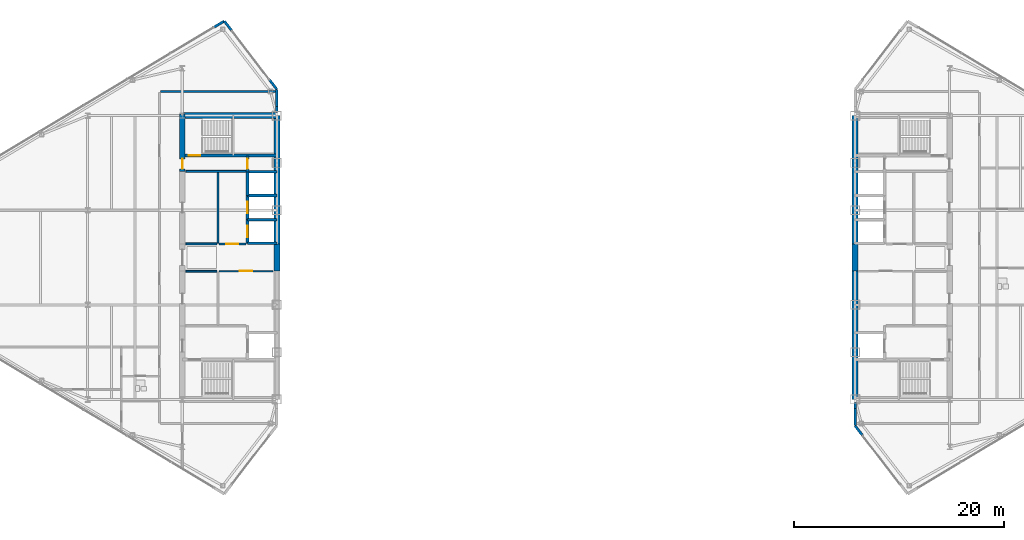
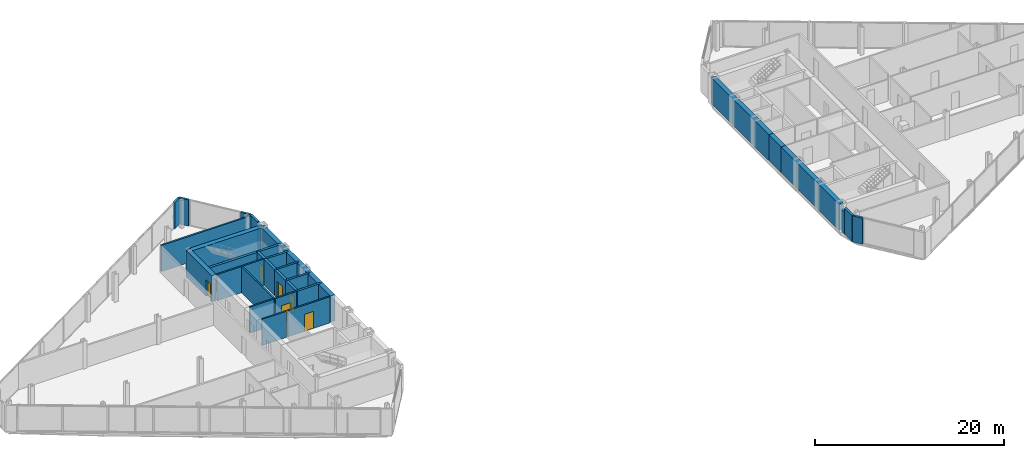
# One storey, part 20 of 25: 31 walls, 7 doors, 7 openings.
"""IFC4 building model written with IfcOpenShell, lengths in metres."""

from ifc_helpers import new_model, si_unit, direction, frame, frame_2d, origin, place, context, subcontext, project, spatial, rectangle, extrude, source, transform, mapped, material, layer, layer_set, type_object, type_shapes, element, fill, save


model = new_model("IFC4")

# Units and contexts
model_context = context("Model", 3, precision=1e-05, world=origin(), true_north=direction((0.0, 1.0)))
body_context = subcontext(model_context, "Body", "Model", "MODEL_VIEW")
ifc_project = project(units=[si_unit("LENGTHUNIT", "METRE"), si_unit("AREAUNIT", "SQUARE_METRE"), si_unit("VOLUMEUNIT", "CUBIC_METRE"), si_unit("PLANEANGLEUNIT", "RADIAN"), si_unit("MASSUNIT", "GRAM", prefix="KILO")], contexts=[model_context])

# Site, building, storey
site_placement = place(None, origin())
site = spatial("IfcSite", under=ifc_project, at=site_placement, CompositionType="ELEMENT")
building_placement = place(site_placement, origin())
building = spatial("IfcBuilding", under=site, at=building_placement, Name="Seokmaru Belvedere", CompositionType="ELEMENT")
storey_placement = place(building_placement, frame((0.0, 0.0, 203.10009765625)))
storey = spatial("IfcBuildingStorey", under=building, at=storey_placement, Name="L54", CompositionType="ELEMENT", Elevation=203.10009765625)

# Walls
ifc_material_1 = material(Name="Fire-Rated Gypsum Shaftwall")
ifc_layer_1 = layer(ifc_material_1, 0.179931640625)
ifc_layer_set_1 = layer_set([ifc_layer_1], Name="Fire-Rated Gypsum Shaftwall")
wall_type_1 = type_object("IfcWallType", Name="Core Service Fire Partition 180", PredefinedType="PARTITIONING", material=ifc_layer_set_1)
wall_1_placement = place(storey_placement, frame((-36.14990234375, 8.199951171875, 0.0), z_axis=(0.0, 0.0, 1.0), x_axis=(1.0, 0.0, 0.0)))
element("IfcWall", 1, at=wall_1_placement, inside=storey, type_object=wall_type_1, Name="L54 West Smokeproof Vestibule Partition", PredefinedType="PARTITIONING", context=body_context, shape_type="SweptSolid", body=[
    extrude(rectangle(XDim=5.699951171875, YDim=0.179931640625, at=frame_2d((2.85009765625, 0.0))), origin(), (0.0, 0.0, 1.0), 3.3798828125),
])
wall_2_placement = place(storey_placement, frame((-33.10009765625, 1.3798828125, 0.0), z_axis=(0.0, 0.0, 1.0), x_axis=(0.0, 1.0, 0.0)))
element("IfcWall", 2, at=wall_2_placement, inside=storey, type_object=wall_type_1, Name="L54 West North Core Service Back Wall", PredefinedType="PARTITIONING", context=body_context, shape_type="SweptSolid", body=[
    extrude(rectangle(XDim=6.740234375, YDim=0.179931640625, at=frame_2d((3.3701171875, 0.0))), origin(), (0.0, 0.0, 1.0), 3.3798828125),
])

# Wall, opening, door
wall_3_placement = place(storey_placement, frame((-33.02001953125, -1.300048828125, 0.0), z_axis=(0.0, 0.0, 1.0), x_axis=(1.0, 0.0, 0.0)))
wall_3 = element("IfcWall", 3, at=wall_3_placement, inside=storey, type_object=wall_type_1, Name="L54 West South Lift Lobby Foyer Wall", PredefinedType="PARTITIONING", context=body_context, shape_type="SweptSolid", body=[
    extrude(rectangle(XDim=5.169921875, YDim=0.179931640625, at=frame_2d((2.5849609375, 0.0))), origin(), (0.0, 0.0, 1.0), 3.3798828125),
])
opening_1_placement = place(wall_3_placement, frame((2.010009765625, 0.0, 0.0)))
opening_1 = element("IfcOpeningElement", 4, at=opening_1_placement, cuts=wall_3, Name="Opening D02", PredefinedType="OPENING", context=body_context, shape_type="SweptSolid", body=[
    extrude(rectangle(XDim=1.14990234375, YDim=2.199951171875, at=frame_2d((0.574951171875, 1.10009765625))), frame((0.0, 0.10009765625, 0.0), z_axis=(0.0, -1.0, 0.0), x_axis=(1.0, 0.0, 0.0)), (0.0, 0.0, 1.0), 0.199951171875),
])
ifc_material_2 = material(Name="Fire-Rated Steel Leaf", Category="steel")
door_type_1 = type_object("IfcDoorType", Name="Lobby and Vestibule Fire Door 1150x2200", OperationType="NOTDEFINED", PredefinedType="DOOR", material=ifc_material_2)
shared_shape_1 = source(origin(), body_context, "Body", "SweptSolid", [
    extrude(rectangle(XDim=1.14990234375, YDim=2.199951171875, at=frame_2d((0.574951171875, 1.10009765625))), frame((0.0, 0.02490234375, 0.0), z_axis=(0.0, -1.0, 0.0), x_axis=(1.0, 0.0, 0.0)), (0.0, 0.0, 1.0), 0.050048828125),
])
type_shapes(door_type_1, [shared_shape_1])
door_1_placement = place(opening_1_placement, origin())
door_1 = element("IfcDoor", 5, at=door_1_placement, inside=storey, type_object=door_type_1, Name="L54 West South Core Foyer Door", OperationType="SINGLE_SWING_LEFT", OverallHeight=2.199951171875, OverallWidth=1.14990234375, PredefinedType="DOOR", context=body_context, shape_type="MappedRepresentation", body=[
    mapped(shared_shape_1, transform((0.0, 0.0, 0.0), scale=1.0)),
])
fill(opening_1, door_1)

wall_4_placement = place(storey_placement, frame((-33.02001953125, 1.300048828125, 0.0), z_axis=(0.0, 0.0, 1.0), x_axis=(1.0, 0.0, 0.0)))
wall_4 = element("IfcWall", 6, at=wall_4_placement, inside=storey, type_object=wall_type_1, Name="L54 West North Lift Lobby Foyer Wall", PredefinedType="PARTITIONING", context=body_context, shape_type="SweptSolid", body=[
    extrude(rectangle(XDim=2.570068359375, YDim=0.179931640625, at=frame_2d((1.28515625, 0.0))), origin(), (0.0, 0.0, 1.0), 3.3798828125),
])
opening_2_placement = place(wall_4_placement, frame((0.7099609375, 0.0, 0.0)))
opening_2 = element("IfcOpeningElement", 7, at=opening_2_placement, cuts=wall_4, Name="Opening D02", PredefinedType="OPENING", context=body_context, shape_type="SweptSolid", body=[
    extrude(rectangle(XDim=1.14990234375, YDim=2.199951171875, at=frame_2d((0.574951171875, 1.10009765625))), frame((0.0, 0.10009765625, 0.0), z_axis=(0.0, -1.0, 0.0), x_axis=(1.0, 0.0, 0.0)), (0.0, 0.0, 1.0), 0.199951171875),
])
door_2_placement = place(opening_2_placement, origin())
door_2 = element("IfcDoor", 8, at=door_2_placement, inside=storey, type_object=door_type_1, Name="L54 West North Lift Lobby Door", OperationType="SINGLE_SWING_RIGHT", OverallHeight=2.199951171875, OverallWidth=1.14990234375, PredefinedType="DOOR", context=body_context, shape_type="MappedRepresentation", body=[
    mapped(shared_shape_1, transform((0.0, 0.0, 0.0), scale=1.0)),
])
fill(opening_2, door_2)

# Walls
for number, where, z_axis, x_axis, name in (
    (9, (-36.14990234375, -1.300048828125, 0.0), (0.0, 0.0, 1.0), (1.0, 0.0, 0.0), "L54 West Foyer Side Wall S"),
    (10, (-36.14990234375, 1.300048828125, 0.0), (0.0, 0.0, 1.0), (1.0, 0.0, 0.0), "L54 West Foyer Side Wall N"),
):
    element("IfcWall", number, at=place(storey_placement, frame(where, z_axis=z_axis, x_axis=x_axis)), inside=storey, type_object=wall_type_1, Name=name, PredefinedType="PARTITIONING", context=body_context, shape_type="SweptSolid", body=[
        extrude(rectangle(XDim=2.949951171875, YDim=0.179931640625, at=frame_2d((1.47509765625, 0.0))), origin(), (0.0, 0.0, 1.0), 3.3798828125),
    ])
ifc_material_3 = material(Name="Concrete C50 (50 MPa)", Category="concrete")
ifc_layer_2 = layer(ifc_material_3, 0.25)
ifc_layer_set_2 = layer_set([ifc_layer_2], Name="Concrete C50 (50 MPa)")
wall_type_2 = type_object("IfcWallType", Name="Hoistway Transverse Concrete Divider Wall 250", PredefinedType="SHEAR", material=ifc_layer_set_2)
for number, where, z_axis, x_axis, name in (
    (11, (-30.300048828125, 1.35009765625, 0.0), (0.0, 0.0, 1.0), (1.0, 0.0, 0.0), "L54 West Hoistway Divider Core Wall 2"),
    (12, (-30.300048828125, 3.60009765625, 0.0), (0.0, 0.0, 1.0), (1.0, 0.0, 0.0), "L54 West Hoistway Divider Core Wall 3"),
    (13, (-30.300048828125, 5.89990234375, 0.0), (0.0, 0.0, 1.0), (1.0, 0.0, 0.0), "L54 West Hoistway Divider Core Wall 4"),
    (14, (-30.300048828125, 8.14990234375, 0.0), (0.0, 0.0, 1.0), (1.0, 0.0, 0.0), "L54 West Hoistway Divider Core Wall 5"),
):
    element("IfcWall", number, at=place(storey_placement, frame(where, z_axis=z_axis, x_axis=x_axis)), inside=storey, type_object=wall_type_2, Name=name, PredefinedType="SHEAR", context=body_context, shape_type="SweptSolid", body=[
        extrude(rectangle(XDim=2.800048828125, YDim=0.25, at=frame_2d((1.39990234375, 0.0))), origin(), (0.0, 0.0, 1.0), 3.3798828125),
    ])
ifc_layer_3 = layer(ifc_material_1, 0.199951171875)
ifc_layer_set_3 = layer_set([ifc_layer_3], Name="Fire-Rated Gypsum Shaftwall")
wall_type_3 = type_object("IfcWallType", Name="Inter-Tenancy Fire Compartment Partition 200", PredefinedType="PARTITIONING", material=ifc_layer_set_3)
wall_5_placement = place(storey_placement, frame((-38.56494140625, 15.800048828125, 0.0), z_axis=(0.0, 0.0, 1.0), x_axis=(1.0, 0.0, 0.0)))
element("IfcWall", 15, at=wall_5_placement, inside=storey, type_object=wall_type_3, Name="L54 Interior Partition 014", PredefinedType="PARTITIONING", context=body_context, shape_type="SweptSolid", body=[
    extrude(rectangle(XDim=10.93994140625, YDim=0.199951171875, at=frame_2d((5.469970703125, 0.0))), origin(), (0.0, 0.0, 1.0), 3.3798828125),
])

# Wall, opening, door
ifc_layer_4 = layer(ifc_material_3, 0.300048828125)
ifc_layer_set_4 = layer_set([ifc_layer_4], Name="Concrete C50 (50 MPa)")
wall_type_4 = type_object("IfcWallType", Name="Internal Core Stair and Hoistway Wall 300", PredefinedType="SHEAR", material=ifc_layer_set_4)
wall_6_placement = place(storey_placement, frame((-36.5, 9.699951171875, 0.0), z_axis=(0.0, 0.0, 1.0), x_axis=(1.0, 0.0, 0.0)))
wall_6 = element("IfcWall", 16, at=wall_6_placement, inside=storey, type_object=wall_type_4, Name="L54 West Stair ST-2 Enclosure Wall", PredefinedType="SHEAR", context=body_context, shape_type="SweptSolid", body=[
    extrude(rectangle(XDim=9.0, YDim=0.300048828125, at=frame_2d((4.5, 0.0))), origin(), (0.0, 0.0, 1.0), 3.3798828125),
])
opening_3_placement = place(wall_6_placement, frame((0.60009765625, 0.0, 0.0)))
opening_3 = element("IfcOpeningElement", 17, at=opening_3_placement, cuts=wall_6, Name="Opening D01", PredefinedType="OPENING", context=body_context, shape_type="SweptSolid", body=[
    extrude(rectangle(XDim=1.10009765625, YDim=2.199951171875, at=frame_2d((0.550048828125, 1.10009765625))), frame((0.0, 0.16015625, 0.0), z_axis=(0.0, -1.0, 0.0), x_axis=(1.0, 0.0, 0.0)), (0.0, 0.0, 1.0), 0.320068359375),
])
door_type_2 = type_object("IfcDoorType", Name="Special Escape Stair Smokeproof Fire Door 1100x2200", OperationType="NOTDEFINED", PredefinedType="DOOR", material=ifc_material_2)
shared_shape_2 = source(origin(), body_context, "Body", "SweptSolid", [
    extrude(rectangle(XDim=1.10009765625, YDim=2.199951171875, at=frame_2d((0.550048828125, 1.10009765625))), frame((0.0, 0.02490234375, 0.0), z_axis=(0.0, -1.0, 0.0), x_axis=(1.0, 0.0, 0.0)), (0.0, 0.0, 1.0), 0.050048828125),
])
type_shapes(door_type_2, [shared_shape_2])
door_3_placement = place(opening_3_placement, origin())
door_3 = element("IfcDoor", 18, at=door_3_placement, inside=storey, type_object=door_type_2, Name="L54 West Special Escape Stair ST-2 Door", OperationType="SINGLE_SWING_RIGHT", OverallHeight=2.199951171875, OverallWidth=1.10009765625, PredefinedType="DOOR", context=body_context, shape_type="MappedRepresentation", body=[
    mapped(shared_shape_2, transform((0.0, 0.0, 0.0), scale=1.0)),
])
fill(opening_3, door_3)

wall_7_placement = place(storey_placement, frame((-30.300048828125, 1.320068359375, 0.0), z_axis=(0.0, 0.0, 1.0), x_axis=(0.0, 1.0, 0.0)))
wall_7 = element("IfcWall", 19, at=wall_7_placement, inside=storey, type_object=wall_type_4, Name="L54 West North Hoistway Wall PH1", PredefinedType="SHEAR", context=body_context, shape_type="SweptSolid", body=[
    extrude(rectangle(XDim=2.280029296875, YDim=0.300048828125, at=frame_2d((1.14013671875, 0.0))), origin(), (0.0, 0.0, 1.0), 3.3798828125),
])
opening_4_placement = place(wall_7_placement, frame((0.590087890625, 0.0, 0.0)))
opening_4 = element("IfcOpeningElement", 20, at=opening_4_placement, cuts=wall_7, Name="Opening LD1", PredefinedType="OPENING", context=body_context, shape_type="SweptSolid", body=[
    extrude(rectangle(XDim=1.10009765625, YDim=2.199951171875, at=frame_2d((0.550048828125, 1.10009765625))), frame((0.0, 0.16015625, 0.0), z_axis=(0.0, -1.0, 0.0), x_axis=(1.0, 0.0, 0.0)), (0.0, 0.0, 1.0), 0.320068359375),
])
ifc_material_4 = material(Name="Stainless Steel 316", Category="steel")
door_type_3 = type_object("IfcDoorType", Name="Passenger Lift Sliding Landing Door 1100x2200", OperationType="DOUBLE_DOOR_SLIDING", PredefinedType="DOOR", material=ifc_material_4)
shared_shape_3 = source(origin(), body_context, "Body", "SweptSolid", [
    extrude(rectangle(XDim=1.10009765625, YDim=2.199951171875, at=frame_2d((0.550048828125, 1.10009765625))), frame((0.0, 0.02490234375, 0.0), z_axis=(0.0, -1.0, 0.0), x_axis=(1.0, 0.0, 0.0)), (0.0, 0.0, 1.0), 0.050048828125),
])
type_shapes(door_type_3, [shared_shape_3])
door_4_placement = place(opening_4_placement, origin())
door_4 = element("IfcDoor", 21, at=door_4_placement, inside=storey, type_object=door_type_3, Name="L54 West High-Rise Lift PH-1 Landing Door", OperationType="DOUBLE_DOOR_SLIDING", OverallHeight=2.199951171875, OverallWidth=1.10009765625, PredefinedType="DOOR", context=body_context, shape_type="MappedRepresentation", body=[
    mapped(shared_shape_3, transform((0.0, 0.0, 0.0), scale=1.0)),
])
fill(opening_4, door_4)

wall_8_placement = place(storey_placement, frame((-30.300048828125, 3.60009765625, 0.0), z_axis=(0.0, 0.0, 1.0), x_axis=(0.0, 1.0, 0.0)))
wall_8 = element("IfcWall", 22, at=wall_8_placement, inside=storey, type_object=wall_type_4, Name="L54 West North Hoistway Wall PH2", PredefinedType="SHEAR", context=body_context, shape_type="SweptSolid", body=[
    extrude(rectangle(XDim=2.2998046875, YDim=0.300048828125, at=frame_2d((1.14990234375, 0.0))), origin(), (0.0, 0.0, 1.0), 3.3798828125),
])
opening_5_placement = place(wall_8_placement, frame((0.60009765625, 0.0, 0.0)))
opening_5 = element("IfcOpeningElement", 23, at=opening_5_placement, cuts=wall_8, Name="Opening LD1", PredefinedType="OPENING", context=body_context, shape_type="SweptSolid", body=[
    extrude(rectangle(XDim=1.10009765625, YDim=2.199951171875, at=frame_2d((0.550048828125, 1.10009765625))), frame((0.0, 0.16015625, 0.0), z_axis=(0.0, -1.0, 0.0), x_axis=(1.0, 0.0, 0.0)), (0.0, 0.0, 1.0), 0.320068359375),
])
door_5_placement = place(opening_5_placement, origin())
door_5 = element("IfcDoor", 24, at=door_5_placement, inside=storey, type_object=door_type_3, Name="L54 West High-Rise Lift PH-2 Landing Door", OperationType="DOUBLE_DOOR_SLIDING", OverallHeight=2.199951171875, OverallWidth=1.10009765625, PredefinedType="DOOR", context=body_context, shape_type="MappedRepresentation", body=[
    mapped(shared_shape_3, transform((0.0, 0.0, 0.0), scale=1.0)),
])
fill(opening_5, door_5)

# Wall
wall_9_placement = place(storey_placement, frame((-30.300048828125, 5.89990234375, 0.0), z_axis=(0.0, 0.0, 1.0), x_axis=(0.0, 1.0, 0.0)))
element("IfcWall", 25, at=wall_9_placement, inside=storey, type_object=wall_type_4, Name="L54 West North Hoistway Wall OBS", PredefinedType="SHEAR", context=body_context, shape_type="SweptSolid", body=[
    extrude(rectangle(XDim=2.25, YDim=0.300048828125, at=frame_2d((1.125, 0.0))), origin(), (0.0, 0.0, 1.0), 3.3798828125),
])

# Wall, opening, door
wall_10_placement = place(storey_placement, frame((-30.300048828125, 8.14990234375, 0.0), z_axis=(0.0, 0.0, 1.0), x_axis=(0.0, 1.0, 0.0)))
wall_10 = element("IfcWall", 26, at=wall_10_placement, inside=storey, type_object=wall_type_4, Name="L54 West Electrical Riser Front Wall", PredefinedType="SHEAR", context=body_context, shape_type="SweptSolid", body=[
    extrude(rectangle(XDim=1.530029296875, YDim=0.300048828125, at=frame_2d((0.76513671875, 0.0))), origin(), (0.0, 0.0, 1.0), 3.3798828125),
])
opening_6_placement = place(wall_10_placement, frame((0.284912109375, 0.0, 0.0)))
opening_6 = element("IfcOpeningElement", 27, at=opening_6_placement, cuts=wall_10, Name="Opening D04", PredefinedType="OPENING", context=body_context, shape_type="SweptSolid", body=[
    extrude(rectangle(XDim=0.949951171875, YDim=2.14990234375, at=frame_2d((0.47509765625, 1.074951171875))), frame((0.0, 0.16015625, 0.0), z_axis=(0.0, -1.0, 0.0), x_axis=(1.0, 0.0, 0.0)), (0.0, 0.0, 1.0), 0.320068359375),
])
door_type_4 = type_object("IfcDoorType", Name="Core Service Room Fire Door 950x2150", OperationType="NOTDEFINED", PredefinedType="DOOR", material=ifc_material_2)
shared_shape_4 = source(origin(), body_context, "Body", "SweptSolid", [
    extrude(rectangle(XDim=0.949951171875, YDim=2.14990234375, at=frame_2d((0.47509765625, 1.074951171875))), frame((0.0, 0.02490234375, 0.0), z_axis=(0.0, -1.0, 0.0), x_axis=(1.0, 0.0, 0.0)), (0.0, 0.0, 1.0), 0.050048828125),
])
type_shapes(door_type_4, [shared_shape_4])
door_6_placement = place(opening_6_placement, origin())
door_6 = element("IfcDoor", 28, at=door_6_placement, inside=storey, type_object=door_type_4, Name="L54 West Electrical Riser Access Door", OperationType="SINGLE_SWING_LEFT", OverallHeight=2.14990234375, OverallWidth=0.949951171875, PredefinedType="DOOR", context=body_context, shape_type="MappedRepresentation", body=[
    mapped(shared_shape_4, transform((0.0, 0.0, 0.0), scale=1.0)),
])
fill(opening_6, door_6)

# Walls
ifc_layer_5 = layer(ifc_material_3, 0.550048828125)
ifc_layer_set_5 = layer_set([ifc_layer_5], Name="Concrete C50 (50 MPa)")
wall_type_5 = type_object("IfcWallType", Name="Mid-High Reinforced Concrete Core Wall 550", PredefinedType="SHEAR", material=ifc_layer_set_5)
wall_11_placement = place(storey_placement, frame((-27.5, 1.300048828125, 0.0), z_axis=(0.0, 0.0, 1.0), x_axis=(0.0, 1.0, 0.0)))
element("IfcWall", 29, at=wall_11_placement, inside=storey, type_object=wall_type_5, Name="L54 West Portal Spine Core Wall North", PredefinedType="SHEAR", context=body_context, shape_type="SweptSolid", body=[
    extrude(rectangle(XDim=12.199951171875, YDim=0.550048828125, at=frame_2d((6.10009765625, 0.0))), origin(), (0.0, 0.0, 1.0), 3.3798828125),
])
wall_12_placement = place(storey_placement, frame((-27.5, -1.300048828125, 0.0), z_axis=(0.0, 0.0, 1.0), x_axis=(0.0, 1.0, 0.0)))
element("IfcWall", 30, at=wall_12_placement, inside=storey, type_object=wall_type_5, Name="L54 West Portal Spine Core Wall Center", PredefinedType="SHEAR", context=body_context, shape_type="SweptSolid", body=[
    extrude(rectangle(XDim=2.60009765625, YDim=0.550048828125, at=frame_2d((1.300048828125, 0.0))), origin(), (0.0, 0.0, 1.0), 3.3798828125),
])
wall_13_placement = place(storey_placement, frame((-36.5, 13.5, 0.0), z_axis=(0.0, 0.0, 1.0), x_axis=(1.0, 0.0, 0.0)))
element("IfcWall", 31, at=wall_13_placement, inside=storey, type_object=wall_type_5, Name="L54 West North Core Wall", PredefinedType="SHEAR", context=body_context, shape_type="SweptSolid", body=[
    extrude(rectangle(XDim=9.0, YDim=0.550048828125, at=frame_2d((4.5, 0.0))), origin(), (0.0, 0.0, 1.0), 3.3798828125),
])

# Wall, opening, door
wall_14_placement = place(storey_placement, frame((-36.5, 8.199951171875, 0.0), z_axis=(0.0, 0.0, 1.0), x_axis=(0.0, 1.0, 0.0)))
wall_14 = element("IfcWall", 32, at=wall_14_placement, inside=storey, type_object=wall_type_5, Name="L54 West West Core Wall VST", PredefinedType="SHEAR", context=body_context, shape_type="SweptSolid", body=[
    extrude(rectangle(XDim=5.449951171875, YDim=0.550048828125, at=frame_2d((2.72509765625, 0.0))), origin(), (0.0, 0.0, 1.0), 3.3798828125),
])
opening_7_placement = place(wall_14_placement, frame((0.2451171875, 0.0, 0.0)))
opening_7 = element("IfcOpeningElement", 33, at=opening_7_placement, cuts=wall_14, Name="Opening D04", PredefinedType="OPENING", context=body_context, shape_type="SweptSolid", body=[
    extrude(rectangle(XDim=0.949951171875, YDim=2.14990234375, at=frame_2d((0.47509765625, 1.074951171875))), frame((0.0, 0.28515625, 0.0), z_axis=(0.0, -1.0, 0.0), x_axis=(1.0, 0.0, 0.0)), (0.0, 0.0, 1.0), 0.570068359375),
])
door_7_placement = place(opening_7_placement, frame((0.949951171875, 0.0, 0.0), z_axis=(0.0, 0.0, 1.0), x_axis=(-1.0, 0.0, 0.0)))
door_7 = element("IfcDoor", 34, at=door_7_placement, inside=storey, type_object=door_type_4, Name="L54 West Smokeproof Vestibule Door", OperationType="SINGLE_SWING_RIGHT", OverallHeight=2.14990234375, OverallWidth=0.949951171875, PredefinedType="DOOR", context=body_context, shape_type="MappedRepresentation", body=[
    mapped(shared_shape_4, transform((0.0, 0.0, 0.0), scale=1.0)),
])
fill(opening_7, door_7)

# Walls
for number, where, z_axis, x_axis, name in (
    (35, (27.5, -13.5, 0.0), (0.0, 0.0, 1.0), (0.0, 1.0, 0.0), "L54 East Portal Spine Core Wall South"),
    (36, (27.5, 1.300048828125, 0.0), (0.0, 0.0, 1.0), (0.0, 1.0, 0.0), "L54 East Portal Spine Core Wall North"),
):
    element("IfcWall", number, at=place(storey_placement, frame(where, z_axis=z_axis, x_axis=x_axis)), inside=storey, type_object=wall_type_5, Name=name, PredefinedType="SHEAR", context=body_context, shape_type="SweptSolid", body=[
        extrude(rectangle(XDim=12.199951171875, YDim=0.550048828125, at=frame_2d((6.10009765625, 0.0))), origin(), (0.0, 0.0, 1.0), 3.3798828125),
    ])
wall_15_placement = place(storey_placement, frame((27.5, -1.300048828125, 0.0), z_axis=(0.0, 0.0, 1.0), x_axis=(0.0, 1.0, 0.0)))
element("IfcWall", 37, at=wall_15_placement, inside=storey, type_object=wall_type_5, Name="L54 East Portal Spine Core Wall Center", PredefinedType="SHEAR", context=body_context, shape_type="SweptSolid", body=[
    extrude(rectangle(XDim=2.60009765625, YDim=0.550048828125, at=frame_2d((1.300048828125, 0.0))), origin(), (0.0, 0.0, 1.0), 3.3798828125),
])
ifc_material_5 = material(Name="Anodised Bronze Aluminium", Category="aluminium")
ifc_layer_6 = layer(ifc_material_5, 0.239990234375)
ifc_layer_set_6 = layer_set([ifc_layer_6], Name="Anodised Bronze Aluminium")
wall_type_6 = type_object("IfcWallType", Name="Tower Corner Spandrel Closure Wall 240", PredefinedType="SOLIDWALL", material=ifc_layer_set_6)
wall_16_placement = place(storey_placement, frame((-27.5, 13.780029296875, 0.0), z_axis=(0.0, 0.0, 1.0), x_axis=(0.0, 1.0, 0.0)))
element("IfcWall", 38, at=wall_16_placement, inside=storey, type_object=wall_type_6, Name="L54 W Shoulder Closure Wall 2", PredefinedType="SOLIDWALL", context=body_context, shape_type="SweptSolid", body=[
    extrude(rectangle(XDim=0.599853515625, YDim=0.239990234375, at=frame_2d((0.2998046875, 0.0))), origin(), (0.0, 0.0, 1.0), 2.8798828125),
])
wall_17_placement = place(storey_placement, frame((-27.5, 14.3798828125, 0.0), z_axis=(0.0, 0.0, 1.0), x_axis=(0.0, 1.0, 0.0)))
element("IfcWall", 39, at=wall_17_placement, inside=storey, type_object=wall_type_6, Name="L54 W Shoulder Closure Wall 2 Part 2", PredefinedType="SOLIDWALL", context=body_context, shape_type="SweptSolid", body=[
    extrude(rectangle(XDim=1.60009765625, YDim=0.239990234375, at=frame_2d((0.800048828125, 0.0))), origin(), (0.0, 0.0, 1.0), 3.3798828125),
])
for number, where, z_axis, x_axis, name in (
    (40, (-27.506103515625, 16.0078125, 0.0), (0.0, 0.0, 1.0), (-0.609617623633, 0.792695624408, 0.0), "L54 W Corner Closure Pier 2A"),
    (41, (-31.798828125, 21.58837890625, 0.0), (0.0, 0.0, 1.0), (-0.609617623633, 0.792695624408, 0.0), "L54 W Corner Closure Pier 2B"),
    (42, (-32.508544921875, 22.494873046875, 0.0), (0.0, 0.0, 1.0), (-0.85743623509, -0.514590228002, 0.0), "L54 W Corner Closure Pier 3A"),
):
    element("IfcWall", number, at=place(storey_placement, frame(where, z_axis=z_axis, x_axis=x_axis)), inside=storey, type_object=wall_type_6, Name=name, PredefinedType="SOLIDWALL", context=body_context, shape_type="SweptSolid", body=[
        extrude(rectangle(XDim=1.14013671875, YDim=0.239990234375, at=frame_2d((0.570068359375, 0.0))), origin(), (0.0, 0.0, 1.0), 3.3798828125),
    ])
wall_18_placement = place(storey_placement, frame((27.5, -15.97998046875, 0.0), z_axis=(0.0, 0.0, 1.0), x_axis=(0.0, 1.0, 0.0)))
element("IfcWall", 43, at=wall_18_placement, inside=storey, type_object=wall_type_6, Name="L54 E Shoulder Closure Wall 1", PredefinedType="SOLIDWALL", context=body_context, shape_type="SweptSolid", body=[
    extrude(rectangle(XDim=1.60009765625, YDim=0.239990234375, at=frame_2d((0.800048828125, 0.0))), origin(), (0.0, 0.0, 1.0), 3.3798828125),
])
wall_19_placement = place(storey_placement, frame((27.5, -14.3798828125, 0.0), z_axis=(0.0, 0.0, 1.0), x_axis=(0.0, 1.0, 0.0)))
element("IfcWall", 44, at=wall_19_placement, inside=storey, type_object=wall_type_6, Name="L54 E Shoulder Closure Wall 1 Part 2", PredefinedType="SOLIDWALL", context=body_context, shape_type="SweptSolid", body=[
    extrude(rectangle(XDim=0.599853515625, YDim=0.239990234375, at=frame_2d((0.2998046875, 0.0))), origin(), (0.0, 0.0, 1.0), 2.8798828125),
])
wall_20_placement = place(storey_placement, frame((27.506103515625, -16.0078125, 0.0), z_axis=(0.0, 0.0, 1.0), x_axis=(0.609617623633, -0.792695624408, 0.0)))
element("IfcWall", 45, at=wall_20_placement, inside=storey, type_object=wall_type_6, Name="L54 E Corner Closure Pier 6A", PredefinedType="SOLIDWALL", context=body_context, shape_type="SweptSolid", body=[
    extrude(rectangle(XDim=1.14013671875, YDim=0.239990234375, at=frame_2d((0.570068359375, 0.0))), origin(), (0.0, 0.0, 1.0), 3.3798828125),
])

save(model, "model.ifc")
